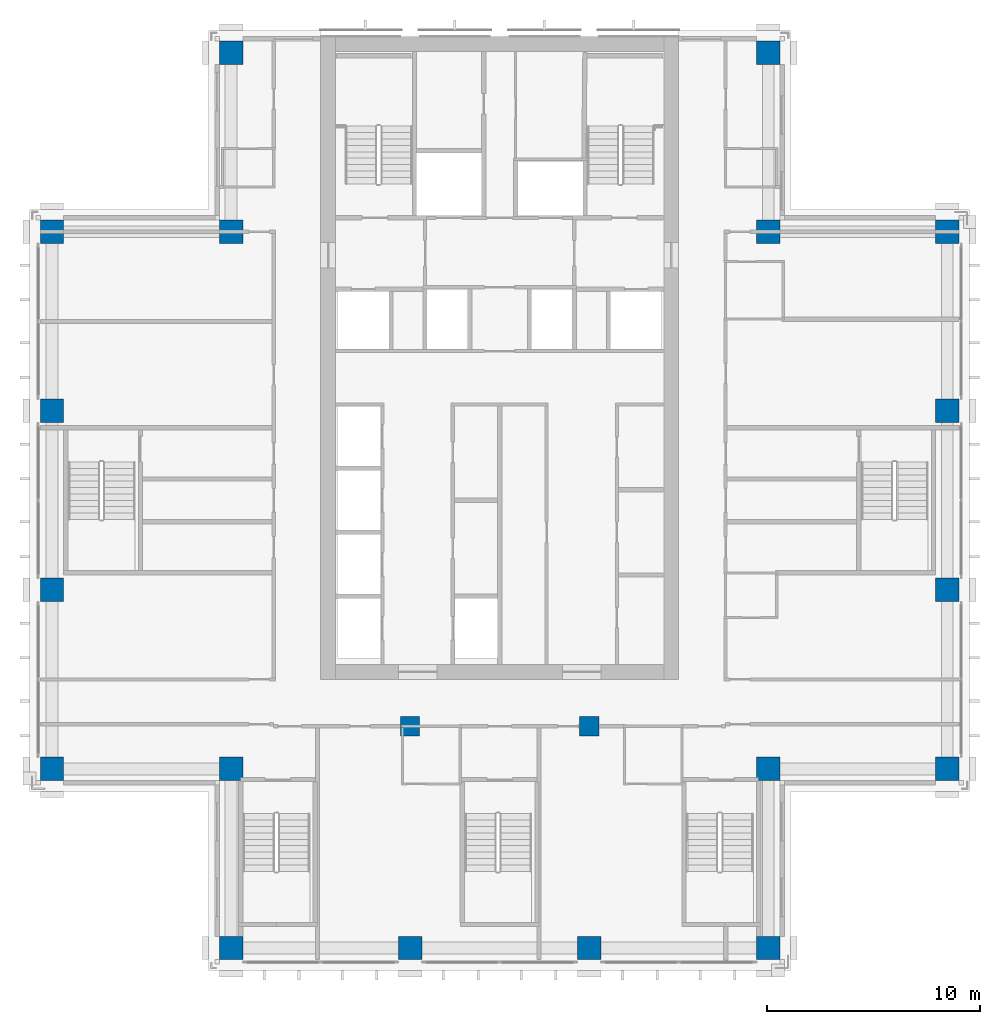
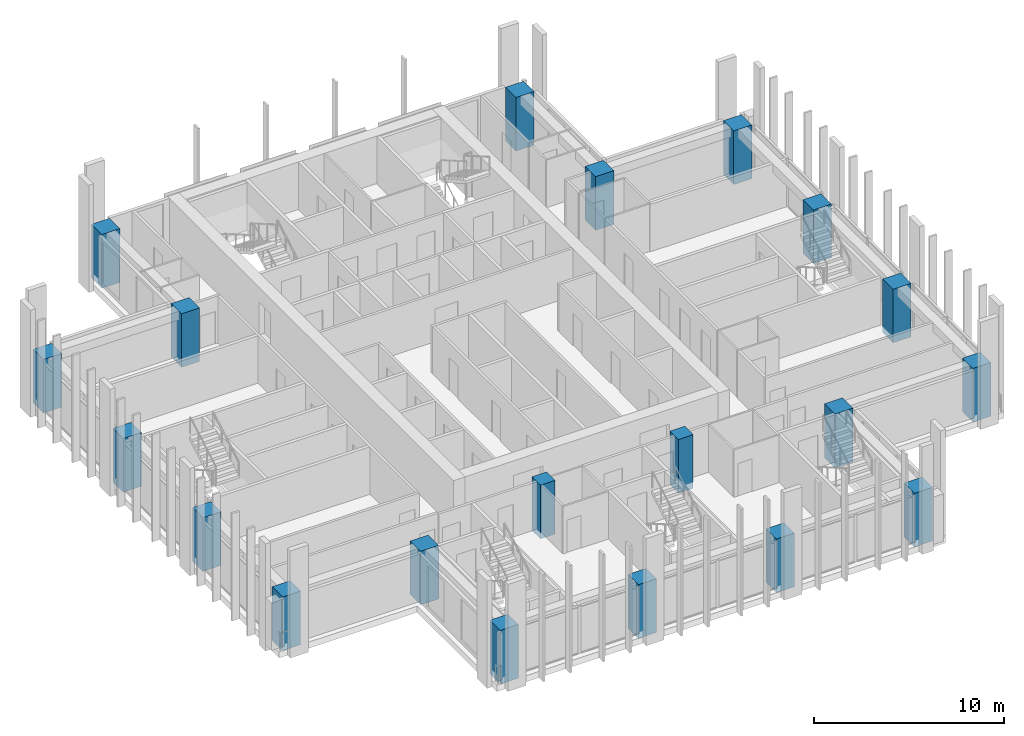
# One storey, part 1 of 16: 20 columns.
"""IFC4 building model written with IfcOpenShell, lengths in metres."""

from ifc_helpers import new_model, si_unit, direction, frame, origin, origin_2d, place, context, subcontext, project, spatial, rectangle, extrude, material, material_profile, profile_set, type_object, element, save


model = new_model("IFC4")

# Units and contexts
model_context = context("Model", 3, precision=1e-05, world=origin(), true_north=direction((0.0, 1.0)))
body_context = subcontext(model_context, "Body", "Model", "MODEL_VIEW")
ifc_project = project(units=[si_unit("LENGTHUNIT", "METRE"), si_unit("AREAUNIT", "SQUARE_METRE"), si_unit("VOLUMEUNIT", "CUBIC_METRE"), si_unit("PLANEANGLEUNIT", "RADIAN"), si_unit("MASSUNIT", "GRAM", prefix="KILO")], contexts=[model_context])

# Site, building, storey
site_placement = place(None, origin())
site = spatial("IfcSite", under=ifc_project, at=site_placement, CompositionType="ELEMENT")
building_placement = place(site_placement, origin())
building = spatial("IfcBuilding", under=site, at=building_placement, Name="Vermilion Ogive Tower", CompositionType="ELEMENT")
storey_placement = place(building_placement, frame((0.0, 0.0, 150.35009765625)))
storey = spatial("IfcBuildingStorey", under=building, at=storey_placement, Name="L38", CompositionType="ELEMENT", Elevation=150.35009765625)

# Columns
ifc_material_1 = material(Name="Concrete B60", Category="concrete")
ifc_material_profile_1 = material_profile(ifc_material_1, rectangle(XDim=1.10009765625, YDim=1.10009765625, at=origin_2d()), Name="1100 x 1100")
ifc_profile_set_1 = profile_set([ifc_material_profile_1], Name="Concrete B60")
column_type_1 = type_object("IfcColumnType", Name="Perimeter column 1100 x 1100 B60", PredefinedType="COLUMN", material=ifc_profile_set_1)
for number, where, z_axis, x_axis, name in (
    (1, (-12.60009765625, -21.0, -0.400146484375), (0.0, 0.0, 1.0), (1.0, 0.0, 0.0), "COL-L38-P-0126-210"),
    (2, (-4.199951171875, -21.0, -0.400146484375), (0.0, 0.0, 1.0), (1.0, 0.0, 0.0), "COL-L38-P-0042-210"),
    (3, (4.199951171875, -21.0, -0.400146484375), (0.0, 0.0, 1.0), (1.0, 0.0, 0.0), "COL-L38-P+0042-210"),
    (4, (12.60009765625, -21.0, -0.400146484375), (0.0, 0.0, 1.0), (1.0, 0.0, 0.0), "COL-L38-P+0126-210"),
    (5, (-21.0, -12.60009765625, -0.400146484375), (0.0, 0.0, 1.0), (1.0, 0.0, 0.0), "COL-L38-P-0210-126"),
    (6, (-12.60009765625, -12.60009765625, -0.400146484375), (0.0, 0.0, 1.0), (1.0, 0.0, 0.0), "COL-L38-P-0126-126"),
    (7, (12.60009765625, -12.60009765625, -0.400146484375), (0.0, 0.0, 1.0), (1.0, 0.0, 0.0), "COL-L38-P+0126-126"),
    (8, (21.0, -12.60009765625, -0.400146484375), (0.0, 0.0, 1.0), (1.0, 0.0, 0.0), "COL-L38-P+0210-126"),
    (9, (-21.0, -4.199951171875, -0.400146484375), (0.0, 0.0, 1.0), (1.0, 0.0, 0.0), "COL-L38-P-0210-042"),
    (10, (21.0, -4.199951171875, -0.400146484375), (0.0, 0.0, 1.0), (1.0, 0.0, 0.0), "COL-L38-P+0210-042"),
    (11, (-21.0, 4.199951171875, -0.400146484375), (0.0, 0.0, 1.0), (1.0, 0.0, 0.0), "COL-L38-P-0210+042"),
    (12, (21.0, 4.199951171875, -0.400146484375), (0.0, 0.0, 1.0), (1.0, 0.0, 0.0), "COL-L38-P+0210+042"),
    (13, (-21.0, 12.60009765625, -0.400146484375), (0.0, 0.0, 1.0), (1.0, 0.0, 0.0), "COL-L38-P-0210+126"),
    (14, (-12.60009765625, 12.60009765625, -0.400146484375), (0.0, 0.0, 1.0), (1.0, 0.0, 0.0), "COL-L38-P-0126+126"),
    (15, (12.60009765625, 12.60009765625, -0.400146484375), (0.0, 0.0, 1.0), (1.0, 0.0, 0.0), "COL-L38-P+0126+126"),
    (16, (21.0, 12.60009765625, -0.400146484375), (0.0, 0.0, 1.0), (1.0, 0.0, 0.0), "COL-L38-P+0210+126"),
    (17, (-12.60009765625, 21.0, -0.400146484375), (0.0, 0.0, 1.0), (1.0, 0.0, 0.0), "COL-L38-P-0126+210"),
    (18, (12.60009765625, 21.0, -0.400146484375), (0.0, 0.0, 1.0), (1.0, 0.0, 0.0), "COL-L38-P+0126+210"),
):
    element("IfcColumn", number, at=place(storey_placement, frame(where, z_axis=z_axis, x_axis=x_axis)), inside=storey, type_object=column_type_1, Name=name, PredefinedType="COLUMN", context=body_context, shape_type="SweptSolid", body=[
        extrude(rectangle(XDim=1.10009765625, YDim=1.10009765625, at=origin_2d()), origin(), (0.0, 0.0, 1.0), 3.449951171875),
    ])
ifc_material_2 = material(Name="Concrete B60", Category="concrete")
ifc_material_profile_2 = material_profile(ifc_material_2, rectangle(XDim=0.89990234375, YDim=0.89990234375, at=origin_2d()), Name="900 x 900")
ifc_profile_set_2 = profile_set([ifc_material_profile_2], Name="Concrete B60")
column_type_2 = type_object("IfcColumnType", Name="Ring column 900 x 900 B60", PredefinedType="COLUMN", material=ifc_profile_set_2)
for number, where, z_axis, x_axis, name in (
    (19, (-4.199951171875, -10.60009765625, -0.400146484375), (0.0, 0.0, 1.0), (1.0, 0.0, 0.0), "COL-L38-R-0042-106"),
    (20, (4.199951171875, -10.60009765625, -0.400146484375), (0.0, 0.0, 1.0), (1.0, 0.0, 0.0), "COL-L38-R+0042-106"),
):
    element("IfcColumn", number, at=place(storey_placement, frame(where, z_axis=z_axis, x_axis=x_axis)), inside=storey, type_object=column_type_2, Name=name, PredefinedType="COLUMN", context=body_context, shape_type="SweptSolid", body=[
        extrude(rectangle(XDim=0.89990234375, YDim=0.89990234375, at=origin_2d()), origin(), (0.0, 0.0, 1.0), 3.449951171875),
    ])

save(model, "model.ifc")
